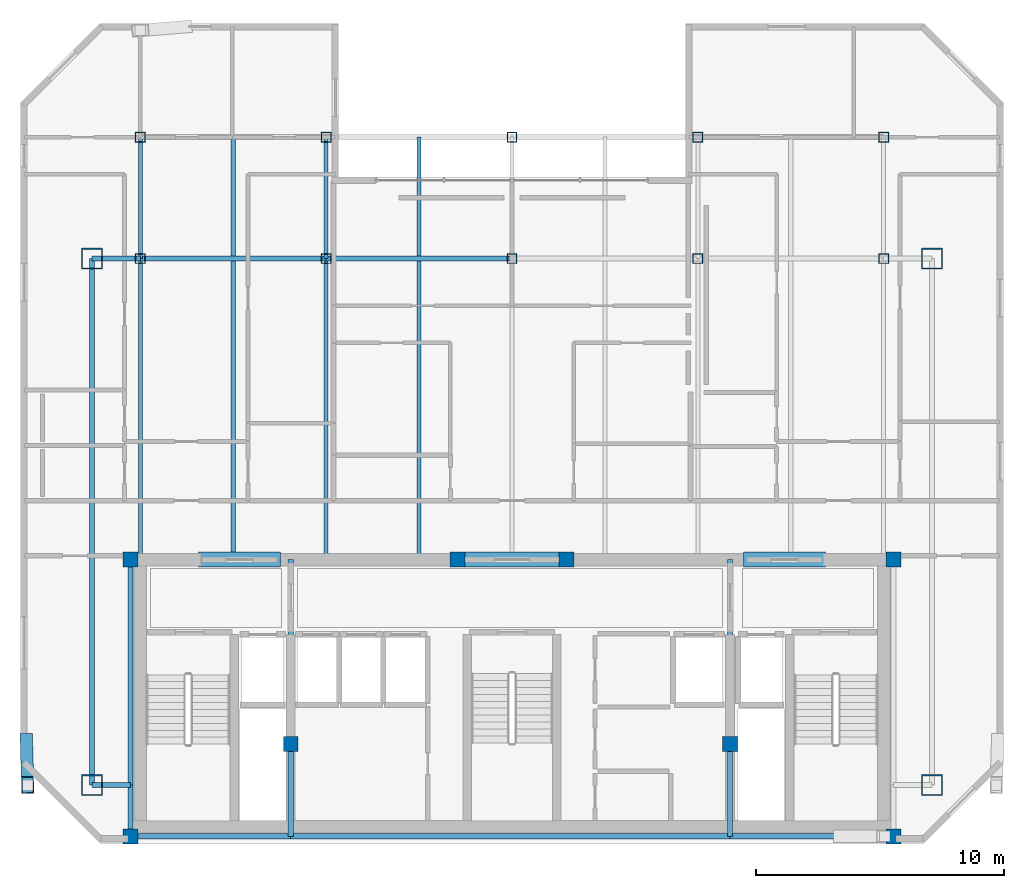
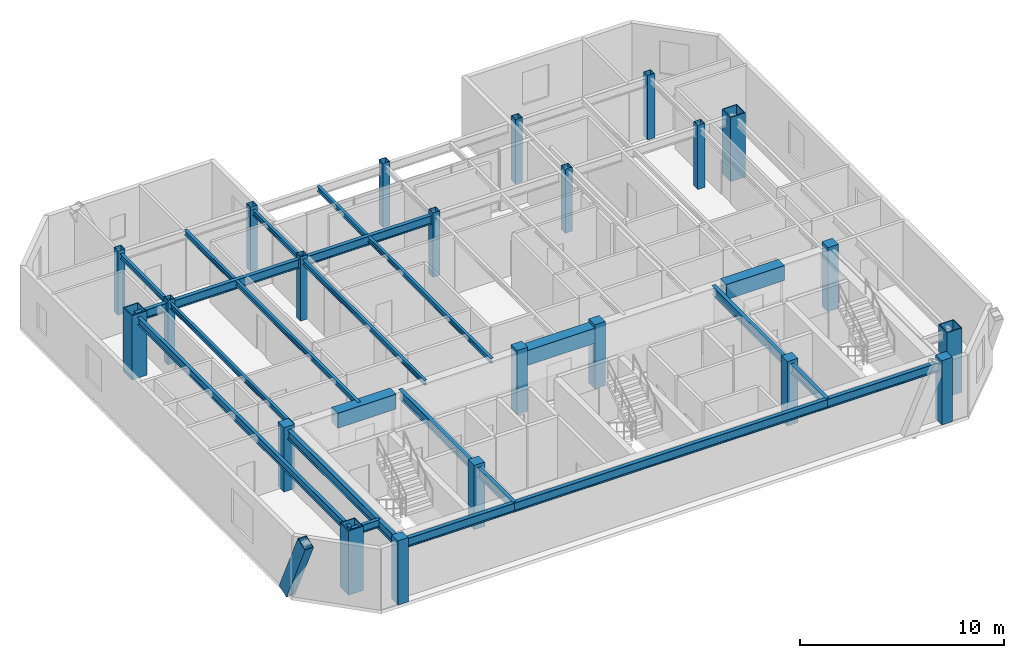
# One storey, part 1 of 10: 25 beams, 22 columns, 1 member.
"""IFC4 building model written with IfcOpenShell, lengths in metres."""

from ifc_helpers import new_model, si_unit, direction, frame, origin, origin_2d, place, context, subcontext, project, spatial, rectangle, hollow_rectangle, i_section, extrude, material, material_profile, profile_set, type_object, element, save


model = new_model("IFC4")

# Units and contexts
model_context = context("Model", 3, precision=1e-05, world=origin(), true_north=direction((0.0, 1.0)))
body_context = subcontext(model_context, "Body", "Model", "MODEL_VIEW")
ifc_project = project(units=[si_unit("LENGTHUNIT", "METRE"), si_unit("AREAUNIT", "SQUARE_METRE"), si_unit("VOLUMEUNIT", "CUBIC_METRE"), si_unit("PLANEANGLEUNIT", "RADIAN"), si_unit("MASSUNIT", "GRAM", prefix="KILO")], contexts=[model_context])

# Site, building, storey
site_placement = place(None, origin())
site = spatial("IfcSite", under=ifc_project, at=site_placement, CompositionType="ELEMENT")
building_placement = place(site_placement, origin())
building = spatial("IfcBuilding", under=site, at=building_placement, Name="Ventersveld Concourse Tower", CompositionType="ELEMENT")
storey_placement = place(building_placement, frame((0.0, 0.0, 313.050048828125)))
storey = spatial("IfcBuildingStorey", under=building, at=storey_placement, Name="L77", CompositionType="ELEMENT", Elevation=313.050048828125)

# Columns
ifc_material_1 = material(Name="Concrete C50/60", Category="concrete")
ifc_material_profile_1 = material_profile(ifc_material_1, rectangle(XDim=0.60009765625, YDim=0.60009765625, at=origin_2d()), Name="RC 600x600")
ifc_profile_set_1 = profile_set([ifc_material_profile_1], Name="Concrete C50/60")
column_type_1 = type_object("IfcColumnType", Name="COL-RC600", PredefinedType="COLUMN", material=ifc_profile_set_1)
for number, where, z_axis, x_axis, name in (
    (1, (13.35009765625, 0.280029296875, 0.0), (0.0, 0.0, 1.0), (1.0, 0.0, 0.0), "L77 Core Spine Column CC-SW"),
    (2, (44.14990234375, 0.280029296875, 0.0), (0.0, 0.0, 1.0), (1.0, 0.0, 0.0), "L77 Core Spine Column CC-SE"),
    (3, (13.35009765625, 11.449951171875, 0.0), (0.0, 0.0, 1.0), (1.0, 0.0, 0.0), "L77 Core Spine Column CC-NW"),
    (4, (44.14990234375, 11.449951171875, 0.0), (0.0, 0.0, 1.0), (1.0, 0.0, 0.0), "L77 Core Spine Column CC-NE"),
    (5, (19.820068359375, 4.0, 0.0), (0.0, 0.0, 1.0), (1.0, 0.0, 0.0), "L77 Core Spine Column CM-1"),
    (6, (37.550048828125, 4.0, 0.0), (0.0, 0.0, 1.0), (1.0, 0.0, 0.0), "L77 Core Spine Column CM-2"),
    (7, (26.550048828125, 11.449951171875, 0.0), (0.0, 0.0, 1.0), (1.0, 0.0, 0.0), "L77 Core Spine Column CM-3"),
    (8, (30.949951171875, 11.449951171875, 0.0), (0.0, 0.0, 1.0), (1.0, 0.0, 0.0), "L77 Core Spine Column CM-4"),
):
    element("IfcColumn", number, at=place(storey_placement, frame(where, z_axis=z_axis, x_axis=x_axis)), inside=storey, type_object=column_type_1, Name=name, PredefinedType="COLUMN", context=body_context, shape_type="SweptSolid", body=[
        extrude(rectangle(XDim=0.60009765625, YDim=0.60009765625, at=origin_2d()), origin(), (0.0, 0.0, 1.0), 3.849853515625),
    ])
ifc_material_2 = material(Name="Structural steel S355J2", Category="steel")
ifc_material_profile_2 = material_profile(ifc_material_2, hollow_rectangle(XDim=0.39990234375, YDim=0.39990234375, WallThickness=0.02001953125, at=origin_2d()), Name="SHS 400x400x20")
ifc_profile_set_2 = profile_set([ifc_material_profile_2], Name="Structural steel S355J2")
column_type_2 = type_object("IfcColumnType", Name="COL-SHS400", PredefinedType="COLUMN", material=ifc_profile_set_2)
for number, where, z_axis, x_axis, name in (
    (9, (13.75, 23.60009765625, 0.0), (0.0, 0.0, 1.0), (1.0, 0.0, 0.0), "L77 Interior Gravity Column X=13.75 Y=23.60"),
    (10, (21.25, 23.60009765625, 0.0), (0.0, 0.0, 1.0), (1.0, 0.0, 0.0), "L77 Interior Gravity Column X=21.25 Y=23.60"),
    (11, (28.75, 23.60009765625, 0.0), (0.0, 0.0, 1.0), (1.0, 0.0, 0.0), "L77 Interior Gravity Column X=28.75 Y=23.60"),
    (12, (36.25, 23.60009765625, 0.0), (0.0, 0.0, 1.0), (1.0, 0.0, 0.0), "L77 Interior Gravity Column X=36.25 Y=23.60"),
    (13, (43.75, 23.60009765625, 0.0), (0.0, 0.0, 1.0), (1.0, 0.0, 0.0), "L77 Interior Gravity Column X=43.75 Y=23.60"),
    (14, (13.75, 28.5, 0.0), (0.0, 0.0, 1.0), (1.0, 0.0, 0.0), "L77 Upper-North Gravity Column X=13.75 Y=28.50"),
    (15, (21.25, 28.5, 0.0), (0.0, 0.0, 1.0), (1.0, 0.0, 0.0), "L77 Upper-North Gravity Column X=21.25 Y=28.50"),
    (16, (28.75, 28.5, 0.0), (0.0, 0.0, 1.0), (1.0, 0.0, 0.0), "L77 Upper-North Gravity Column X=28.75 Y=28.50"),
    (17, (36.25, 28.5, 0.0), (0.0, 0.0, 1.0), (1.0, 0.0, 0.0), "L77 Upper-North Gravity Column X=36.25 Y=28.50"),
    (18, (43.75, 28.5, 0.0), (0.0, 0.0, 1.0), (1.0, 0.0, 0.0), "L77 Upper-North Gravity Column X=43.75 Y=28.50"),
):
    element("IfcColumn", number, at=place(storey_placement, frame(where, z_axis=z_axis, x_axis=x_axis)), inside=storey, type_object=column_type_2, Name=name, PredefinedType="COLUMN", context=body_context, shape_type="SweptSolid", body=[
        extrude(hollow_rectangle(XDim=0.39990234375, YDim=0.39990234375, WallThickness=0.02001953125, at=origin_2d()), origin(), (0.0, 0.0, 1.0), 3.849853515625),
    ])
ifc_material_3 = material(Name="Structural steel S460ML", Category="steel")
ifc_material_profile_3 = material_profile(ifc_material_3, hollow_rectangle(XDim=0.85009765625, YDim=0.85009765625, WallThickness=0.050048828125, at=origin_2d()), Name="BOX 850x850x50")
ifc_profile_set_3 = profile_set([ifc_material_profile_3], Name="Structural steel S460ML")
column_type_3 = type_object("IfcColumnType", Name="MC-850", PredefinedType="USERDEFINED", material=ifc_profile_set_3)
for number, where, z_axis, x_axis, name in (
    (19, (11.800048828125, 2.35009765625, 0.0), (0.0, 0.0, 1.0), (1.0, 0.0, 0.0), "L77 Corner Mega-Column MC-SW"),
    (20, (45.699951171875, 2.35009765625, 0.0), (0.0, 0.0, 1.0), (1.0, 0.0, 0.0), "L77 Corner Mega-Column MC-SE"),
    (21, (45.699951171875, 23.60009765625, 0.0), (0.0, 0.0, 1.0), (1.0, 0.0, 0.0), "L77 Corner Mega-Column MC-NE"),
    (22, (11.800048828125, 23.60009765625, 0.0), (0.0, 0.0, 1.0), (1.0, 0.0, 0.0), "L77 Corner Mega-Column MC-NW"),
):
    element("IfcColumn", number, at=place(storey_placement, frame(where, z_axis=z_axis, x_axis=x_axis)), inside=storey, type_object=column_type_3, Name=name, ObjectType="MEGA_COLUMN", PredefinedType="USERDEFINED", context=body_context, shape_type="SweptSolid", body=[
        extrude(hollow_rectangle(XDim=0.85009765625, YDim=0.85009765625, WallThickness=0.050048828125, at=origin_2d()), origin(), (0.0, 0.0, 1.0), 3.849853515625),
    ])

# Beams
ifc_material_profile_4 = material_profile(ifc_material_2, i_section(OverallWidth=0.1650390625, OverallDepth=0.303466796875, WebThickness=0.006103515625, FlangeThickness=0.01025390625, FilletRadius=0.0087890625, at=origin_2d()), Name="UB 305x165x40")
ifc_profile_set_4 = profile_set([ifc_material_profile_4], Name="Structural steel S355J2")
beam_type_1 = type_object("IfcBeamType", Name="BM-UB305", PredefinedType="BEAM", material=ifc_profile_set_4)
beam_1_placement = place(storey_placement, frame((13.75, 11.449951171875, 3.498291015625), z_axis=(0.0, 1.0, 0.0), x_axis=(-1.0, 0.0, 0.0)))
element("IfcBeam", 23, at=beam_1_placement, inside=storey, type_object=beam_type_1, Name="L77 N-S Composite Floor Beam South X=13.75", PredefinedType="BEAM", context=body_context, shape_type="SweptSolid", body=[
    extrude(i_section(OverallWidth=0.1650390625, OverallDepth=0.303466796875, WebThickness=0.006103515625, FlangeThickness=0.01025390625, FilletRadius=0.0087890625, at=origin_2d()), origin(), (0.0, 0.0, 1.0), 12.150146484375),
])
beam_2_placement = place(storey_placement, frame((13.75, 23.60009765625, 3.498291015625), z_axis=(0.0, 1.0, 0.0), x_axis=(-1.0, 0.0, 0.0)))
element("IfcBeam", 24, at=beam_2_placement, inside=storey, type_object=beam_type_1, Name="L77 N-S Upper-Zone Floor Beam X=13.75", PredefinedType="BEAM", context=body_context, shape_type="SweptSolid", body=[
    extrude(i_section(OverallWidth=0.1650390625, OverallDepth=0.303466796875, WebThickness=0.006103515625, FlangeThickness=0.01025390625, FilletRadius=0.0087890625, at=origin_2d()), origin(), (0.0, 0.0, 1.0), 4.89990234375),
])
beam_3_placement = place(storey_placement, frame((17.5, 11.449951171875, 3.498291015625), z_axis=(0.0, 1.0, 0.0), x_axis=(-1.0, 0.0, 0.0)))
element("IfcBeam", 25, at=beam_3_placement, inside=storey, type_object=beam_type_1, Name="L77 N-S Composite Floor Beam South X=17.50", PredefinedType="BEAM", context=body_context, shape_type="SweptSolid", body=[
    extrude(i_section(OverallWidth=0.1650390625, OverallDepth=0.303466796875, WebThickness=0.006103515625, FlangeThickness=0.01025390625, FilletRadius=0.0087890625, at=origin_2d()), origin(), (0.0, 0.0, 1.0), 12.054931640625),
])
beam_4_placement = place(storey_placement, frame((17.5, 23.695068359375, 3.498291015625), z_axis=(0.0, 1.0, 0.0), x_axis=(-1.0, 0.0, 0.0)))
element("IfcBeam", 26, at=beam_4_placement, inside=storey, type_object=beam_type_1, Name="L77 N-S Upper-Zone Floor Beam X=17.50", PredefinedType="BEAM", context=body_context, shape_type="SweptSolid", body=[
    extrude(i_section(OverallWidth=0.1650390625, OverallDepth=0.303466796875, WebThickness=0.006103515625, FlangeThickness=0.01025390625, FilletRadius=0.0087890625, at=origin_2d()), origin(), (0.0, 0.0, 1.0), 4.804931640625),
])
beam_5_placement = place(storey_placement, frame((21.25, 11.449951171875, 3.498291015625), z_axis=(0.0, 1.0, 0.0), x_axis=(-1.0, 0.0, 0.0)))
element("IfcBeam", 27, at=beam_5_placement, inside=storey, type_object=beam_type_1, Name="L77 N-S Composite Floor Beam South X=21.25", PredefinedType="BEAM", context=body_context, shape_type="SweptSolid", body=[
    extrude(i_section(OverallWidth=0.1650390625, OverallDepth=0.303466796875, WebThickness=0.006103515625, FlangeThickness=0.01025390625, FilletRadius=0.0087890625, at=origin_2d()), origin(), (0.0, 0.0, 1.0), 12.150146484375),
])
beam_6_placement = place(storey_placement, frame((21.25, 23.60009765625, 3.498291015625), z_axis=(0.0, 1.0, 0.0), x_axis=(-1.0, 0.0, 0.0)))
element("IfcBeam", 28, at=beam_6_placement, inside=storey, type_object=beam_type_1, Name="L77 N-S Upper-Zone Floor Beam X=21.25", PredefinedType="BEAM", context=body_context, shape_type="SweptSolid", body=[
    extrude(i_section(OverallWidth=0.1650390625, OverallDepth=0.303466796875, WebThickness=0.006103515625, FlangeThickness=0.01025390625, FilletRadius=0.0087890625, at=origin_2d()), origin(), (0.0, 0.0, 1.0), 4.89990234375),
])
beam_7_placement = place(storey_placement, frame((25.0, 11.449951171875, 3.498291015625), z_axis=(0.0, 1.0, 0.0), x_axis=(-1.0, 0.0, 0.0)))
element("IfcBeam", 29, at=beam_7_placement, inside=storey, type_object=beam_type_1, Name="L77 N-S Composite Floor Beam South X=25.00", PredefinedType="BEAM", context=body_context, shape_type="SweptSolid", body=[
    extrude(i_section(OverallWidth=0.1650390625, OverallDepth=0.303466796875, WebThickness=0.006103515625, FlangeThickness=0.01025390625, FilletRadius=0.0087890625, at=origin_2d()), origin(), (0.0, 0.0, 1.0), 12.054931640625),
])
beam_8_placement = place(storey_placement, frame((25.0, 23.695068359375, 3.498291015625), z_axis=(0.0, 1.0, 0.0), x_axis=(-1.0, 0.0, 0.0)))
element("IfcBeam", 30, at=beam_8_placement, inside=storey, type_object=beam_type_1, Name="L77 N-S Upper-Zone Floor Beam X=25.00", PredefinedType="BEAM", context=body_context, shape_type="SweptSolid", body=[
    extrude(i_section(OverallWidth=0.1650390625, OverallDepth=0.303466796875, WebThickness=0.006103515625, FlangeThickness=0.01025390625, FilletRadius=0.0087890625, at=origin_2d()), origin(), (0.0, 0.0, 1.0), 4.804931640625),
])
ifc_material_profile_5 = material_profile(ifc_material_1, rectangle(XDim=0.60009765625, YDim=0.89990234375, at=origin_2d()), Name="RC 600x900")
ifc_profile_set_5 = profile_set([ifc_material_profile_5], Name="Concrete C50/60")
beam_type_2 = type_object("IfcBeamType", Name="CB-RC600x900U", PredefinedType="LINTEL", material=ifc_profile_set_5)
beam_9_placement = place(storey_placement, frame((16.10009765625, 11.449951171875, 3.199951171875), z_axis=(1.0, 0.0, 0.0), x_axis=(0.0, 1.0, 0.0)))
element("IfcBeam", 31, at=beam_9_placement, inside=storey, type_object=beam_type_2, Name="L77 Core Coupling Lintel Beam 1", PredefinedType="LINTEL", context=body_context, shape_type="SweptSolid", body=[
    extrude(rectangle(XDim=0.60009765625, YDim=0.89990234375, at=origin_2d()), origin(), (0.0, 0.0, 1.0), 3.2998046875),
])
beam_10_placement = place(storey_placement, frame((26.5, 11.449951171875, 3.199951171875), z_axis=(1.0, 0.0, 0.0), x_axis=(0.0, 1.0, 0.0)))
element("IfcBeam", 32, at=beam_10_placement, inside=storey, type_object=beam_type_2, Name="L77 Core Coupling Lintel Beam 2", PredefinedType="LINTEL", context=body_context, shape_type="SweptSolid", body=[
    extrude(rectangle(XDim=0.60009765625, YDim=0.89990234375, at=origin_2d()), origin(), (0.0, 0.0, 1.0), 4.5),
])
beam_11_placement = place(storey_placement, frame((38.10009765625, 11.449951171875, 3.199951171875), z_axis=(1.0, 0.0, 0.0), x_axis=(0.0, 1.0, 0.0)))
element("IfcBeam", 33, at=beam_11_placement, inside=storey, type_object=beam_type_2, Name="L77 Core Coupling Lintel Beam 3", PredefinedType="LINTEL", context=body_context, shape_type="SweptSolid", body=[
    extrude(rectangle(XDim=0.60009765625, YDim=0.89990234375, at=origin_2d()), origin(), (0.0, 0.0, 1.0), 3.2998046875),
])
ifc_material_profile_6 = material_profile(ifc_material_2, i_section(OverallWidth=0.209228515625, OverallDepth=0.533203125, WebThickness=0.010009765625, FlangeThickness=0.015625, FilletRadius=0.0126953125, at=origin_2d()), Name="UB 533x210x92")
ifc_profile_set_6 = profile_set([ifc_material_profile_6], Name="Structural steel S355J2")
beam_type_3 = type_object("IfcBeamType", Name="GRD-UB533", PredefinedType="T_BEAM", material=ifc_profile_set_6)
beam_12_placement = place(storey_placement, frame((11.800048828125, 23.60009765625, 3.38330078125), z_axis=(1.0, 0.0, 0.0), x_axis=(0.0, 1.0, 0.0)))
element("IfcBeam", 34, at=beam_12_placement, inside=storey, type_object=beam_type_3, Name="L77 Primary E-W Grid Girder Y=23.60 #1", PredefinedType="T_BEAM", context=body_context, shape_type="SweptSolid", body=[
    extrude(i_section(OverallWidth=0.209228515625, OverallDepth=0.533203125, WebThickness=0.010009765625, FlangeThickness=0.015625, FilletRadius=0.0126953125, at=origin_2d()), origin(), (0.0, 0.0, 1.0), 1.949951171875),
])
for number, where, z_axis, x_axis, name in (
    (35, (13.75, 23.60009765625, 3.38330078125), (1.0, 0.0, 0.0), (0.0, 1.0, 0.0), "L77 Primary E-W Grid Girder Y=23.60 #2"),
    (36, (21.25, 23.60009765625, 3.38330078125), (1.0, 0.0, 0.0), (0.0, 1.0, 0.0), "L77 Primary E-W Grid Girder Y=23.60 #3"),
):
    element("IfcBeam", number, at=place(storey_placement, frame(where, z_axis=z_axis, x_axis=x_axis)), inside=storey, type_object=beam_type_3, Name=name, PredefinedType="T_BEAM", context=body_context, shape_type="SweptSolid", body=[
        extrude(i_section(OverallWidth=0.209228515625, OverallDepth=0.533203125, WebThickness=0.010009765625, FlangeThickness=0.015625, FilletRadius=0.0126953125, at=origin_2d()), origin(), (0.0, 0.0, 1.0), 7.5),
    ])
ifc_material_profile_7 = material_profile(ifc_material_2, i_section(OverallWidth=0.2119140625, OverallDepth=0.54443359375, WebThickness=0.0126953125, FlangeThickness=0.021240234375, FilletRadius=0.0126953125, at=origin_2d()), Name="UB 533x210x122")
ifc_profile_set_7 = profile_set([ifc_material_profile_7], Name="Structural steel S355J2")
beam_type_4 = type_object("IfcBeamType", Name="GRD-UB533H", PredefinedType="T_BEAM", material=ifc_profile_set_7)
beam_13_placement = place(storey_placement, frame((13.35009765625, 0.280029296875, 3.377685546875), z_axis=(0.0, 1.0, 0.0), x_axis=(-1.0, 0.0, 0.0)))
element("IfcBeam", 37, at=beam_13_placement, inside=storey, type_object=beam_type_4, Name="L77 Core West Tie Beam S", PredefinedType="T_BEAM", context=body_context, shape_type="SweptSolid", body=[
    extrude(i_section(OverallWidth=0.2119140625, OverallDepth=0.54443359375, WebThickness=0.0126953125, FlangeThickness=0.021240234375, FilletRadius=0.0126953125, at=origin_2d()), origin(), (0.0, 0.0, 1.0), 2.070068359375),
])
beam_14_placement = place(storey_placement, frame((13.35009765625, 2.35009765625, 3.377685546875), z_axis=(0.0, 1.0, 0.0), x_axis=(-1.0, 0.0, 0.0)))
element("IfcBeam", 38, at=beam_14_placement, inside=storey, type_object=beam_type_4, Name="L77 Core West Tie Beam N", PredefinedType="T_BEAM", context=body_context, shape_type="SweptSolid", body=[
    extrude(i_section(OverallWidth=0.2119140625, OverallDepth=0.54443359375, WebThickness=0.0126953125, FlangeThickness=0.021240234375, FilletRadius=0.0126953125, at=origin_2d()), origin(), (0.0, 0.0, 1.0), 9.099853515625),
])
beam_15_placement = place(storey_placement, frame((13.35009765625, 0.280029296875, 3.377685546875), z_axis=(1.0, 0.0, 0.0), x_axis=(0.0, 1.0, 0.0)))
element("IfcBeam", 39, at=beam_15_placement, inside=storey, type_object=beam_type_4, Name="L77 Core South Tie Beam W", PredefinedType="T_BEAM", context=body_context, shape_type="SweptSolid", body=[
    extrude(i_section(OverallWidth=0.2119140625, OverallDepth=0.54443359375, WebThickness=0.0126953125, FlangeThickness=0.021240234375, FilletRadius=0.0126953125, at=origin_2d()), origin(), (0.0, 0.0, 1.0), 6.469970703125),
])
beam_16_placement = place(storey_placement, frame((19.820068359375, 0.280029296875, 3.377685546875), z_axis=(1.0, 0.0, 0.0), x_axis=(0.0, 1.0, 0.0)))
element("IfcBeam", 40, at=beam_16_placement, inside=storey, type_object=beam_type_4, Name="L77 Core South Tie Beam C", PredefinedType="T_BEAM", context=body_context, shape_type="SweptSolid", body=[
    extrude(i_section(OverallWidth=0.2119140625, OverallDepth=0.54443359375, WebThickness=0.0126953125, FlangeThickness=0.021240234375, FilletRadius=0.0126953125, at=origin_2d()), origin(), (0.0, 0.0, 1.0), 17.72998046875),
])
beam_17_placement = place(storey_placement, frame((37.550048828125, 0.280029296875, 3.377685546875), z_axis=(1.0, 0.0, 0.0), x_axis=(0.0, 1.0, 0.0)))
element("IfcBeam", 41, at=beam_17_placement, inside=storey, type_object=beam_type_4, Name="L77 Core South Tie Beam E", PredefinedType="T_BEAM", context=body_context, shape_type="SweptSolid", body=[
    extrude(i_section(OverallWidth=0.2119140625, OverallDepth=0.54443359375, WebThickness=0.0126953125, FlangeThickness=0.021240234375, FilletRadius=0.0126953125, at=origin_2d()), origin(), (0.0, 0.0, 1.0), 6.599853515625),
])
beam_18_placement = place(storey_placement, frame((19.820068359375, 0.280029296875, 3.377685546875), z_axis=(0.0, 1.0, 0.0), x_axis=(-1.0, 0.0, 0.0)))
element("IfcBeam", 42, at=beam_18_placement, inside=storey, type_object=beam_type_4, Name="L77 Core Spine N-S Tie Beam W1", PredefinedType="T_BEAM", context=body_context, shape_type="SweptSolid", body=[
    extrude(i_section(OverallWidth=0.2119140625, OverallDepth=0.54443359375, WebThickness=0.0126953125, FlangeThickness=0.021240234375, FilletRadius=0.0126953125, at=origin_2d()), origin(), (0.0, 0.0, 1.0), 3.719970703125),
])
beam_19_placement = place(storey_placement, frame((19.820068359375, 4.0, 3.377685546875), z_axis=(0.0, 1.0, 0.0), x_axis=(-1.0, 0.0, 0.0)))
element("IfcBeam", 43, at=beam_19_placement, inside=storey, type_object=beam_type_4, Name="L77 Core Spine N-S Tie Beam W2", PredefinedType="T_BEAM", context=body_context, shape_type="SweptSolid", body=[
    extrude(i_section(OverallWidth=0.2119140625, OverallDepth=0.54443359375, WebThickness=0.0126953125, FlangeThickness=0.021240234375, FilletRadius=0.0126953125, at=origin_2d()), origin(), (0.0, 0.0, 1.0), 7.449951171875),
])
beam_20_placement = place(storey_placement, frame((37.550048828125, 0.280029296875, 3.377685546875), z_axis=(0.0, 1.0, 0.0), x_axis=(-1.0, 0.0, 0.0)))
element("IfcBeam", 44, at=beam_20_placement, inside=storey, type_object=beam_type_4, Name="L77 Core Spine N-S Tie Beam E1", PredefinedType="T_BEAM", context=body_context, shape_type="SweptSolid", body=[
    extrude(i_section(OverallWidth=0.2119140625, OverallDepth=0.54443359375, WebThickness=0.0126953125, FlangeThickness=0.021240234375, FilletRadius=0.0126953125, at=origin_2d()), origin(), (0.0, 0.0, 1.0), 3.719970703125),
])
beam_21_placement = place(storey_placement, frame((37.550048828125, 4.0, 3.377685546875), z_axis=(0.0, 1.0, 0.0), x_axis=(-1.0, 0.0, 0.0)))
element("IfcBeam", 45, at=beam_21_placement, inside=storey, type_object=beam_type_4, Name="L77 Core Spine N-S Tie Beam E2", PredefinedType="T_BEAM", context=body_context, shape_type="SweptSolid", body=[
    extrude(i_section(OverallWidth=0.2119140625, OverallDepth=0.54443359375, WebThickness=0.0126953125, FlangeThickness=0.021240234375, FilletRadius=0.0126953125, at=origin_2d()), origin(), (0.0, 0.0, 1.0), 7.449951171875),
])

# Member
ifc_material_4 = material(Name="Structural steel S355ML", Category="steel")
ifc_material_profile_8 = material_profile(ifc_material_4, hollow_rectangle(XDim=0.5, YDim=0.75, WallThickness=0.034912109375, at=origin_2d()), Name="BOX 750x500x35")
ifc_profile_set_8 = profile_set([ifc_material_profile_8], Name="Structural steel S355ML")
member_type = type_object("IfcMemberType", Name="MB-750x500", PredefinedType="BRACE", material=ifc_profile_set_8)
member_placement = place(storey_placement, frame((9.15234375, 4.089599609375, -0.199951171875), z_axis=(0.011730612407, -0.411727159605, 0.911231660324), x_axis=(0.999594371896, 0.028479671227, 0.0)))
element("IfcMember", 46, at=member_placement, inside=storey, type_object=member_type, Name="L77 Exterior Mega-Brace W (Module M18)", PredefinedType="BRACE", context=body_context, shape_type="SweptSolid", body=[
    extrude(hollow_rectangle(XDim=0.5, YDim=0.75, WallThickness=0.034912109375, at=origin_2d()), origin(), (0.0, 0.0, 1.0), 4.224853515625),
])

# Beams
ifc_material_profile_9 = material_profile(ifc_material_2, i_section(OverallWidth=0.19140625, OverallDepth=0.4599609375, WebThickness=0.010009765625, FlangeThickness=0.01611328125, FilletRadius=0.01025390625, at=origin_2d()), Name="UB 457x191x82")
ifc_profile_set_9 = profile_set([ifc_material_profile_9], Name="Structural steel S355J2")
beam_type_5 = type_object("IfcBeamType", Name="SPD-UB457", PredefinedType="SPANDREL", material=ifc_profile_set_9)
beam_22_placement = place(storey_placement, frame((11.800048828125, 2.35009765625, 3.419921875), z_axis=(1.0, 0.0, 0.0), x_axis=(0.0, 1.0, 0.0)))
element("IfcBeam", 47, at=beam_22_placement, inside=storey, type_object=beam_type_5, Name="L77 SW Spandrel Beam", PredefinedType="SPANDREL", context=body_context, shape_type="SweptSolid", body=[
    extrude(i_section(OverallWidth=0.19140625, OverallDepth=0.4599609375, WebThickness=0.010009765625, FlangeThickness=0.01611328125, FilletRadius=0.01025390625, at=origin_2d()), origin(), (0.0, 0.0, 1.0), 1.550048828125),
])
beam_23_placement = place(storey_placement, frame((11.800048828125, 2.35009765625, 3.419921875), z_axis=(0.0, 1.0, 0.0), x_axis=(-1.0, 0.0, 0.0)))
element("IfcBeam", 48, at=beam_23_placement, inside=storey, type_object=beam_type_5, Name="L77 West Spandrel Beam", PredefinedType="SPANDREL", context=body_context, shape_type="SweptSolid", body=[
    extrude(i_section(OverallWidth=0.19140625, OverallDepth=0.4599609375, WebThickness=0.010009765625, FlangeThickness=0.01611328125, FilletRadius=0.01025390625, at=origin_2d()), origin(), (0.0, 0.0, 1.0), 21.25),
])

save(model, "model.ifc")
